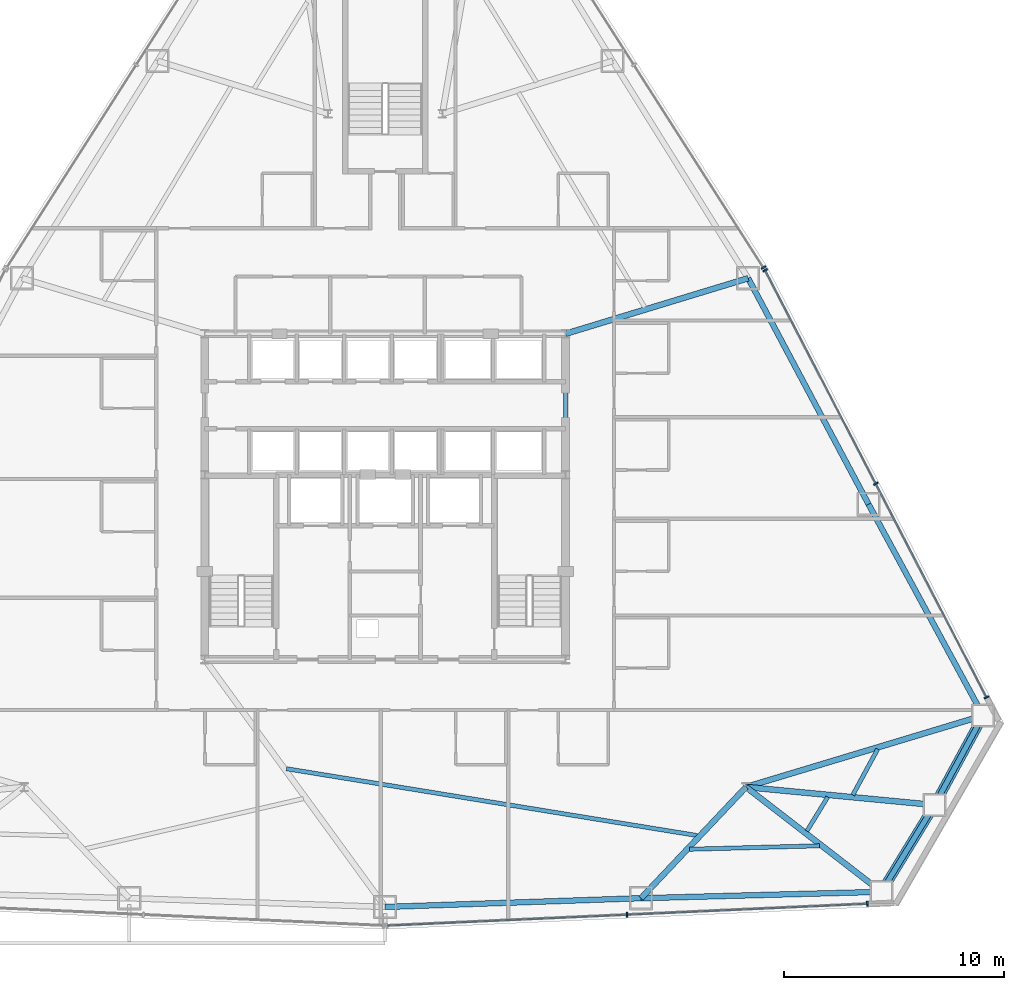
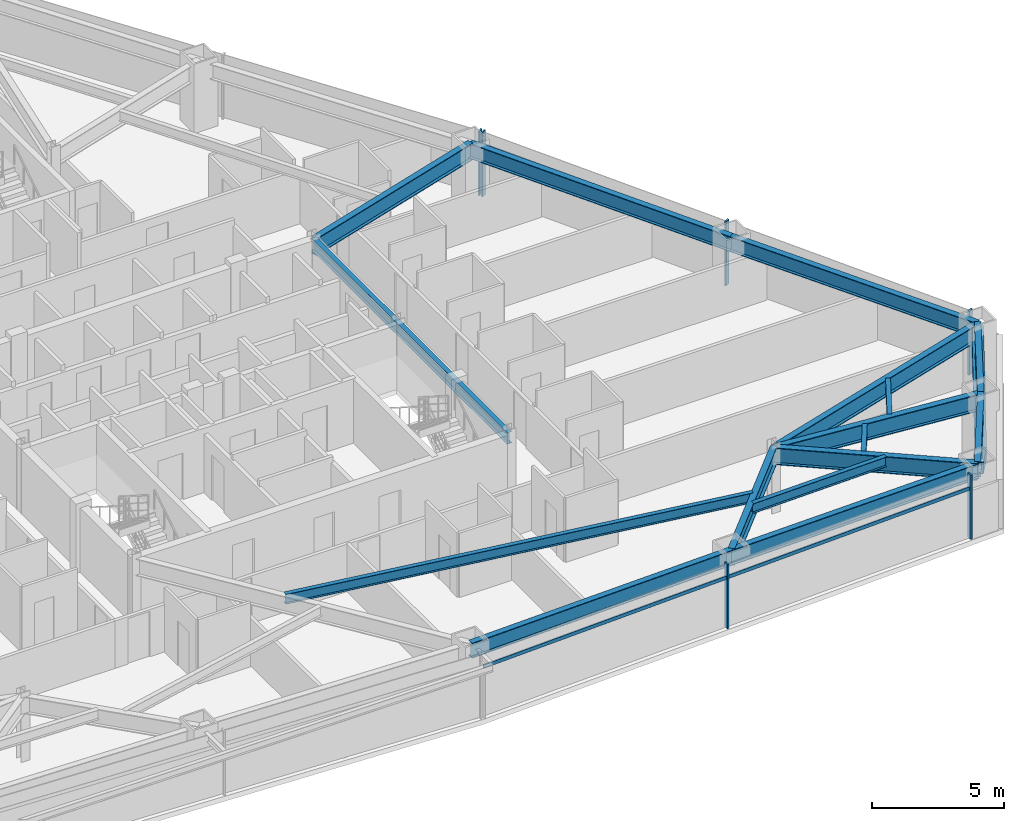
# One storey, part 6 of 13: 16 beams, 10 members, 3 elements without a shape of their own.
"""IFC4 building model written with IfcOpenShell, lengths in metres."""

from ifc_helpers import new_model, si_unit, direction, frame, origin, origin_2d, place, context, subcontext, project, spatial, rectangle, hollow_rectangle, i_section, extrude, source, transform, mapped, material, layer, layer_set, material_profile, profile_set, type_object, type_shapes, element, aggregate, save


model = new_model("IFC4")

# Units and contexts
model_context = context("Model", 3, precision=1e-05, world=origin(), true_north=direction((0.0, 1.0)))
body_context = subcontext(model_context, "Body", "Model", "MODEL_VIEW")
ifc_project = project(units=[si_unit("LENGTHUNIT", "METRE"), si_unit("AREAUNIT", "SQUARE_METRE"), si_unit("VOLUMEUNIT", "CUBIC_METRE"), si_unit("PLANEANGLEUNIT", "RADIAN"), si_unit("MASSUNIT", "GRAM", prefix="KILO")], contexts=[model_context])

# Site, building, storey
site_placement = place(None, origin())
site = spatial("IfcSite", under=ifc_project, at=site_placement, CompositionType="ELEMENT")
building_placement = place(site_placement, origin())
building = spatial("IfcBuilding", under=site, at=building_placement, Name="Varakhsha Concourse Tower", CompositionType="ELEMENT")
storey_placement = place(building_placement, frame((0.0, 0.0, 89.39990234375)))
storey = spatial("IfcBuildingStorey", under=building, at=storey_placement, Name="L25", CompositionType="ELEMENT", Elevation=89.39990234375)

# Beams
ifc_material_1 = material(Name="Structural Steel ASTM A992 Grade 50", Category="steel")
ifc_material_profile_1 = material_profile(ifc_material_1, i_section(OverallWidth=0.26611328125, OverallDepth=0.779052734375, WebThickness=0.01708984375, FlangeThickness=0.030029296875, at=origin_2d()), Name="W30X148")
ifc_profile_set_1 = profile_set([ifc_material_profile_1], Name="Structural Steel ASTM A992 Grade 50")
beam_type_1 = type_object("IfcBeamType", Name="BM-BASE-W30X148", PredefinedType="USERDEFINED", material=ifc_profile_set_1)
beam_1_placement = place(storey_placement, frame((56.39990234375, 10.60009765625, 2.58056640625), z_axis=(-0.686667898497, -0.726971249207, 0.0), x_axis=(0.726971249207, -0.686667898497, 0.0)))
element("IfcBeam", 1, at=beam_1_placement, inside=storey, type_object=beam_type_1, Name="L25 Radial Floor Girder 12", ObjectType="GIRDER", PredefinedType="USERDEFINED", context=body_context, shape_type="SweptSolid", body=[
    extrude(i_section(OverallWidth=0.26611328125, OverallDepth=0.779052734375, WebThickness=0.01708984375, FlangeThickness=0.030029296875, at=origin_2d()), origin(), (0.0, 0.0, 1.0), 6.947998046875),
])
beam_2_placement = place(storey_placement, frame((56.39990234375, 10.60009765625, 2.58056640625), z_axis=(0.790863829476, -0.611992159449, 0.0), x_axis=(0.611992159449, 0.790863829476, 0.0)))
element("IfcBeam", 2, at=beam_2_placement, inside=storey, type_object=beam_type_1, Name="L25 Radial Floor Girder 13", ObjectType="GIRDER", PredefinedType="USERDEFINED", context=body_context, shape_type="SweptSolid", body=[
    extrude(i_section(OverallWidth=0.26611328125, OverallDepth=0.779052734375, WebThickness=0.01708984375, FlangeThickness=0.030029296875, at=origin_2d()), origin(), (0.0, 0.0, 1.0), 7.77978515625),
])
beam_3_placement = place(storey_placement, frame((56.39990234375, 10.60009765625, 2.58056640625), z_axis=(0.995499423712, -0.094767596724, 0.0), x_axis=(0.094767596724, 0.995499423712, 0.0)))
element("IfcBeam", 3, at=beam_3_placement, inside=storey, type_object=beam_type_1, Name="L25 Radial Floor Girder 14", ObjectType="GIRDER", PredefinedType="USERDEFINED", context=body_context, shape_type="SweptSolid", body=[
    extrude(i_section(OverallWidth=0.26611328125, OverallDepth=0.779052734375, WebThickness=0.01708984375, FlangeThickness=0.030029296875, at=origin_2d()), origin(), (0.0, 0.0, 1.0), 8.607177734375),
])
beam_4_placement = place(storey_placement, frame((56.39990234375, 10.60009765625, 2.58056640625), z_axis=(0.957434410413, 0.288650913313, 0.0), x_axis=(-0.288650913313, 0.957434410413, 0.0)))
element("IfcBeam", 4, at=beam_4_placement, inside=storey, type_object=beam_type_1, Name="L25 Radial Floor Girder 15", ObjectType="GIRDER", PredefinedType="USERDEFINED", context=body_context, shape_type="SweptSolid", body=[
    extrude(i_section(OverallWidth=0.26611328125, OverallDepth=0.779052734375, WebThickness=0.01708984375, FlangeThickness=0.030029296875, at=origin_2d()), origin(), (0.0, 0.0, 1.0), 11.2568359375),
])
beam_5_placement = place(storey_placement, frame((48.199951171875, 31.199951171875, 2.58056640625), z_axis=(0.956697744709, 0.291083193036, 0.0), x_axis=(-0.291083193036, 0.956697744709, 0.0)))
element("IfcBeam", 5, at=beam_5_placement, inside=storey, type_object=beam_type_1, Name="L25 Radial Floor Girder 17", ObjectType="GIRDER", PredefinedType="USERDEFINED", context=body_context, shape_type="SweptSolid", body=[
    extrude(i_section(OverallWidth=0.26611328125, OverallDepth=0.779052734375, WebThickness=0.01708984375, FlangeThickness=0.030029296875, at=origin_2d()), origin(), (0.0, 0.0, 1.0), 8.671630859375),
])
ifc_material_profile_2 = material_profile(ifc_material_1, i_section(OverallWidth=0.19091796875, OverallDepth=0.45703125, WebThickness=0.009033203125, FlangeThickness=0.013916015625, at=origin_2d()), Name="W18X50")
ifc_profile_set_2 = profile_set([ifc_material_profile_2], Name="Structural Steel ASTM A992 Grade 50")
beam_type_2 = type_object("IfcBeamType", Name="BM-JST-W18X50", PredefinedType="JOIST", material=ifc_profile_set_2)
beam_6_placement = place(storey_placement, frame((35.5166015625, 11.43310546875, 2.74169921875), z_axis=(0.987027059065, -0.160553993018, 0.0), x_axis=(0.160553993018, 0.987027059065, 0.0)))
element("IfcBeam", 6, at=beam_6_placement, inside=storey, type_object=beam_type_2, Name="BM-TJST-L25-11", PredefinedType="JOIST", context=body_context, shape_type="SweptSolid", body=[
    extrude(i_section(OverallWidth=0.19091796875, OverallDepth=0.45703125, WebThickness=0.009033203125, FlangeThickness=0.013916015625, at=origin_2d()), origin(), (0.0, 0.0, 1.0), 18.9208984375),
])
beam_7_placement = place(storey_placement, frame((53.838134765625, 7.7744140625, 2.74169921875), z_axis=(0.999648110151, 0.02652651261, 0.0), x_axis=(-0.02652651261, 0.999648110151, 0.0)))
element("IfcBeam", 7, at=beam_7_placement, inside=storey, type_object=beam_type_2, Name="BM-TJST-L25-12", PredefinedType="JOIST", context=body_context, shape_type="SweptSolid", body=[
    extrude(i_section(OverallWidth=0.19091796875, OverallDepth=0.45703125, WebThickness=0.009033203125, FlangeThickness=0.013916015625, at=origin_2d()), origin(), (0.0, 0.0, 1.0), 5.899658203125),
])
beam_8_placement = place(storey_placement, frame((59.164794921875, 8.598876953125, 2.74169921875), z_axis=(0.522010135783, 0.852939281626, 0.0), x_axis=(-0.852939281626, 0.522010135783, 0.0)))
element("IfcBeam", 8, at=beam_8_placement, inside=storey, type_object=beam_type_2, Name="BM-TJST-L25-13", PredefinedType="JOIST", context=body_context, shape_type="SweptSolid", body=[
    extrude(i_section(OverallWidth=0.19091796875, OverallDepth=0.45703125, WebThickness=0.009033203125, FlangeThickness=0.013916015625, at=origin_2d()), origin(), (0.0, 0.0, 1.0), 1.815673828125),
])
beam_9_placement = place(storey_placement, frame((61.250732421875, 10.239990234375, 2.74169921875), z_axis=(0.477516776867, 0.87862263106, 0.0), x_axis=(-0.87862263106, 0.477516776867, 0.0)))
element("IfcBeam", 9, at=beam_9_placement, inside=storey, type_object=beam_type_2, Name="BM-TJST-L25-14", PredefinedType="JOIST", context=body_context, shape_type="SweptSolid", body=[
    extrude(i_section(OverallWidth=0.19091796875, OverallDepth=0.45703125, WebThickness=0.009033203125, FlangeThickness=0.013916015625, at=origin_2d()), origin(), (0.0, 0.0, 1.0), 2.370849609375),
])
ifc_material_profile_3 = material_profile(ifc_material_1, i_section(OverallWidth=0.2109375, OverallDepth=0.5390625, WebThickness=0.011962890625, FlangeThickness=0.01904296875, at=origin_2d()), Name="W21X73")
ifc_profile_set_3 = profile_set([ifc_material_profile_3], Name="Structural Steel ASTM A992 Grade 50")
beam_type_3 = type_object("IfcBeamType", Name="BM-RAD-W21X73", PredefinedType="BEAM", material=ifc_profile_set_3)
beam_10_placement = place(storey_placement, frame((48.199951171875, 16.39990234375, 2.70068359375), z_axis=(0.0, 1.0, 0.0), x_axis=(-1.0, 0.0, 0.0)))
element("IfcBeam", 10, at=beam_10_placement, inside=storey, type_object=beam_type_3, Name="BM-TCORE-L25-CE", PredefinedType="BEAM", context=body_context, shape_type="SweptSolid", body=[
    extrude(i_section(OverallWidth=0.2109375, OverallDepth=0.5390625, WebThickness=0.011962890625, FlangeThickness=0.01904296875, at=origin_2d()), origin(), (0.0, 0.0, 1.0), 14.800048828125),
])
ifc_material_profile_4 = material_profile(ifc_material_1, i_section(OverallWidth=0.25390625, OverallDepth=0.701904296875, WebThickness=0.014892578125, FlangeThickness=0.028076171875, at=origin_2d()), Name="W27X129")
ifc_profile_set_4 = profile_set([ifc_material_profile_4], Name="Structural Steel ASTM A992 Grade 50")
beam_type_4 = type_object("IfcBeamType", Name="BM-SPAN-W27X129", PredefinedType="SPANDREL", material=ifc_profile_set_4)
beam_11_placement = place(storey_placement, frame((40.0, 5.15185546875, 2.619140625), z_axis=(0.999417135447, 0.034137799785, 0.0), x_axis=(-0.034137799785, 0.999417135447, 0.0)))
element("IfcBeam", 11, at=beam_11_placement, inside=storey, type_object=beam_type_4, Name="BM-SPAN-L25-11", PredefinedType="SPANDREL", context=body_context, shape_type="SweptSolid", body=[
    extrude(i_section(OverallWidth=0.25390625, OverallDepth=0.701904296875, WebThickness=0.014892578125, FlangeThickness=0.028076171875, at=origin_2d()), origin(), (0.0, 0.0, 1.0), 11.6357421875),
])
beam_12_placement = place(storey_placement, frame((51.62890625, 5.549072265625, 2.619140625), z_axis=(0.999648299755, 0.026519366436, 0.0), x_axis=(-0.026519366436, 0.999648299755, 0.0)))
element("IfcBeam", 12, at=beam_12_placement, inside=storey, type_object=beam_type_4, Name="BM-SPAN-L25-12", PredefinedType="SPANDREL", context=body_context, shape_type="SweptSolid", body=[
    extrude(i_section(OverallWidth=0.25390625, OverallDepth=0.701904296875, WebThickness=0.014892578125, FlangeThickness=0.028076171875, at=origin_2d()), origin(), (0.0, 0.0, 1.0), 10.927734375),
])
beam_13_placement = place(storey_placement, frame((62.552734375, 5.8388671875, 2.619140625), z_axis=(0.522135058867, 0.852862814468, 0.0), x_axis=(-0.852862814468, 0.522135058867, 0.0)))
element("IfcBeam", 13, at=beam_13_placement, inside=storey, type_object=beam_type_4, Name="BM-SPAN-L25-13", PredefinedType="SPANDREL", context=body_context, shape_type="SweptSolid", body=[
    extrude(i_section(OverallWidth=0.25390625, OverallDepth=0.701904296875, WebThickness=0.014892578125, FlangeThickness=0.028076171875, at=origin_2d()), origin(), (0.0, 0.0, 1.0), 4.626220703125),
])
beam_14_placement = place(storey_placement, frame((64.96826171875, 9.784423828125, 2.619140625), z_axis=(0.47751686281, 0.878622584351, 0.0), x_axis=(-0.878622584351, 0.47751686281, 0.0)))
element("IfcBeam", 14, at=beam_14_placement, inside=storey, type_object=beam_type_4, Name="BM-SPAN-L25-14", PredefinedType="SPANDREL", context=body_context, shape_type="SweptSolid", body=[
    extrude(i_section(OverallWidth=0.25390625, OverallDepth=0.701904296875, WebThickness=0.014892578125, FlangeThickness=0.028076171875, at=origin_2d()), origin(), (0.0, 0.0, 1.0), 4.62646484375),
])
beam_15_placement = place(storey_placement, frame((67.177490234375, 13.849365234375, 2.619140625), z_axis=(-0.476839407103, 0.878990432163, 0.0), x_axis=(-0.878990432163, -0.476839407103, 0.0)))
element("IfcBeam", 15, at=beam_15_placement, inside=storey, type_object=beam_type_4, Name="BM-SPAN-L25-15", PredefinedType="SPANDREL", context=body_context, shape_type="SweptSolid", body=[
    extrude(i_section(OverallWidth=0.25390625, OverallDepth=0.701904296875, WebThickness=0.014892578125, FlangeThickness=0.028076171875, at=origin_2d()), origin(), (0.0, 0.0, 1.0), 10.927490234375),
])
beam_16_placement = place(storey_placement, frame((61.966796875, 23.45458984375, 2.619140625), z_axis=(-0.470161283072, 0.882580516384, 0.0), x_axis=(-0.882580516384, -0.470161283072, 0.0)))
element("IfcBeam", 16, at=beam_16_placement, inside=storey, type_object=beam_type_4, Name="BM-SPAN-L25-16", PredefinedType="SPANDREL", context=body_context, shape_type="SweptSolid", body=[
    extrude(i_section(OverallWidth=0.25390625, OverallDepth=0.701904296875, WebThickness=0.014892578125, FlangeThickness=0.028076171875, at=origin_2d()), origin(), (0.0, 0.0, 1.0), 11.6357421875),
])

# Members
ifc_material_2 = material(Name="Structural Steel ASTM A500 Grade C", Category="steel")
ifc_material_profile_5 = material_profile(ifc_material_2, hollow_rectangle(XDim=0.449951171875, YDim=0.449951171875, WallThickness=0.01904296875, at=origin_2d()), Name="HSS 450x450x19")
ifc_profile_set_5 = profile_set([ifc_material_profile_5], Name="Structural Steel ASTM A500 Grade C")
member_type_1 = type_object("IfcMemberType", Name="MB-TUBE-HSS450", PredefinedType="BRACE", material=ifc_profile_set_5)
shared_shape_1 = source(origin(), body_context, "Body", "SweptSolid", [
    extrude(hollow_rectangle(XDim=0.449951171875, YDim=0.449951171875, WallThickness=0.01904296875, at=origin_2d()), origin(), (0.0, 0.0, 1.0), 5.282470703125),
])
member_1_placement = place(storey_placement, frame((64.96826171875, 9.784423828125, 0.1201171875), z_axis=(-0.457268644843, -0.746909093319, 0.482734080795), x_axis=(0.852862814468, -0.522135058867, 0.0)))
element("IfcMember", 17, at=member_1_placement, inside=storey, type_object=member_type_1, Name="L25 Wind-Corner Tube Brace B05", PredefinedType="BRACE", context=body_context, shape_type="MappedRepresentation", body=[
    mapped(shared_shape_1, transform((0.0, 0.0, 0.0), scale=1.0)),
])
shared_shape_2 = source(origin(), body_context, "Body", "SweptSolid", [
    extrude(hollow_rectangle(XDim=0.449951171875, YDim=0.449951171875, WallThickness=0.01904296875, at=origin_2d()), origin(), (0.0, 0.0, 1.0), 5.28271484375),
])
type_shapes(member_type_1, [shared_shape_1, shared_shape_2])
member_2_placement = place(storey_placement, frame((64.96826171875, 9.784423828125, 0.1201171875), z_axis=(0.418198623406, 0.769478072684, 0.482714622774), x_axis=(-0.878622584351, 0.47751686281, 0.0)))
element("IfcMember", 18, at=member_2_placement, inside=storey, type_object=member_type_1, Name="L25 Wind-Corner Tube Brace B06", PredefinedType="BRACE", context=body_context, shape_type="MappedRepresentation", body=[
    mapped(shared_shape_2, transform((0.0, 0.0, 0.0), scale=1.0)),
])

# Curtain wall, members
ifc_material_3 = material(Name="Anodised Bronze Architectural Aluminium AA 6063-T6", Category="aluminium")
ifc_layer = layer(ifc_material_3, 0.199951171875, Name="CW-SYS-03")
ifc_layer_set = layer_set([ifc_layer], Name="Anodised Bronze Architectural Aluminium AA 6063-T6")
curtain_wall_type = type_object("IfcCurtainWallType", Name="CW-SYS-03", PredefinedType="NOTDEFINED", material=ifc_layer_set)
curtain_wall_1_placement = place(storey_placement, origin())
curtain_wall_1 = element("IfcCurtainWall", 19, at=curtain_wall_1_placement, inside=storey, type_object=curtain_wall_type, Name="L25 Crystal Curtain Wall F6", PredefinedType="NOTDEFINED")
ifc_material_profile_6 = material_profile(ifc_material_3, rectangle(XDim=0.074951171875, YDim=0.219970703125, at=origin_2d()), Name="CWM-220X75")
ifc_profile_set_6 = profile_set([ifc_material_profile_6], Name="Anodised Bronze Architectural Aluminium AA 6063-T6")
member_type_2 = type_object("IfcMemberType", Name="CWM-220X75", PredefinedType="MULLION", material=ifc_profile_set_6)
shared_shape_3 = source(origin(), body_context, "Body", "SweptSolid", [
    extrude(rectangle(XDim=0.074951171875, YDim=0.219970703125, at=origin_2d()), origin(), (0.0, 0.0, 1.0), 2.97021484375),
])
type_shapes(member_type_2, [shared_shape_3])
member_3_placement = place(storey_placement, frame((61.911865234375, 5.29541015625, 0.0), z_axis=(0.0, 0.0, 1.0), x_axis=(-0.998969777905, -0.045380423448, 0.0)))
member_3 = element("IfcMember", 20, at=member_3_placement, type_object=member_type_2, Name="CW-L25-F6 Mullion 00", PredefinedType="MULLION", context=body_context, shape_type="MappedRepresentation", body=[
    mapped(shared_shape_3, transform((0.0, 0.0, 0.0), scale=1.0)),
])
member_4_placement = place(storey_placement, frame((50.9921875, 4.79931640625, 0.0), z_axis=(0.0, 0.0, 1.0), x_axis=(-0.998969777905, -0.045380423448, 0.0)))
member_4 = element("IfcMember", 21, at=member_4_placement, type_object=member_type_2, Name="CW-L25-F6 Mullion 01", PredefinedType="MULLION", context=body_context, shape_type="MappedRepresentation", body=[
    mapped(shared_shape_3, transform((0.0, 0.0, 0.0), scale=1.0)),
])

curtain_wall_2_placement = place(storey_placement, origin())
curtain_wall_2 = element("IfcCurtainWall", 22, at=curtain_wall_2_placement, inside=storey, type_object=curtain_wall_type, Name="L25 Crystal Curtain Wall F8", PredefinedType="NOTDEFINED")
member_5_placement = place(storey_placement, frame((57.267333984375, 34.08544921875, 0.0), z_axis=(0.0, 0.0, 1.0), x_axis=(0.460185838956, -0.887822613828, 0.0)))
member_5 = element("IfcMember", 23, at=member_5_placement, type_object=member_type_2, Name="CW-L25-F8 Mullion 00", PredefinedType="MULLION", context=body_context, shape_type="MappedRepresentation", body=[
    mapped(shared_shape_3, transform((0.0, 0.0, 0.0), scale=1.0)),
])
member_6_placement = place(storey_placement, frame((62.297607421875, 24.380859375, 0.0), z_axis=(0.0, 0.0, 1.0), x_axis=(0.460185838956, -0.887822613828, 0.0)))
member_6 = element("IfcMember", 24, at=member_6_placement, type_object=member_type_2, Name="CW-L25-F8 Mullion 01", PredefinedType="MULLION", context=body_context, shape_type="MappedRepresentation", body=[
    mapped(shared_shape_3, transform((0.0, 0.0, 0.0), scale=1.0)),
])
member_7_placement = place(storey_placement, frame((67.327880859375, 14.67626953125, 0.0), z_axis=(0.0, 0.0, 1.0), x_axis=(0.460185838956, -0.887822613828, 0.0)))
member_7 = element("IfcMember", 25, at=member_7_placement, type_object=member_type_2, Name="CW-L25-F8 Mullion 02", PredefinedType="MULLION", context=body_context, shape_type="MappedRepresentation", body=[
    mapped(shared_shape_3, transform((0.0, 0.0, 0.0), scale=1.0)),
])

# Curtain wall, member
curtain_wall_3_placement = place(storey_placement, origin())
curtain_wall_3 = element("IfcCurtainWall", 26, at=curtain_wall_3_placement, inside=storey, type_object=curtain_wall_type, Name="L25 Crystal Curtain Wall F9", PredefinedType="NOTDEFINED")
member_8_placement = place(storey_placement, frame((57.194580078125, 34.211181640625, 0.0), z_axis=(0.0, 0.0, 1.0), x_axis=(0.538786958833, -0.842442053195, 0.0)))
member_8 = element("IfcMember", 27, at=member_8_placement, type_object=member_type_2, Name="CW-L25-F9 Mullion 02", PredefinedType="MULLION", context=body_context, shape_type="MappedRepresentation", body=[
    mapped(shared_shape_3, transform((0.0, 0.0, 0.0), scale=1.0)),
])
aggregate(curtain_wall_3, [member_8])

# Member
ifc_material_profile_7 = material_profile(ifc_material_3, rectangle(XDim=0.06494140625, YDim=0.159912109375, at=origin_2d()), Name="CWT-160X65")
ifc_profile_set_7 = profile_set([ifc_material_profile_7], Name="Anodised Bronze Architectural Aluminium AA 6063-T6")
member_type_3 = type_object("IfcMemberType", Name="CWT-160X65", PredefinedType="USERDEFINED", material=ifc_profile_set_7)
shared_shape_4 = source(origin(), body_context, "Body", "SweptSolid", [
    extrude(rectangle(XDim=0.06494140625, YDim=0.159912109375, at=origin_2d()), origin(), (0.0, 0.0, 1.0), 21.861572265625),
])
type_shapes(member_type_3, [shared_shape_4])
member_9_placement = place(storey_placement, frame((61.911865234375, 5.29541015625, 2.320068359375), z_axis=(-0.998969576113, -0.045384865318, 0.0), x_axis=(0.045384865318, -0.998969576113, 0.0)))
member_9 = element("IfcMember", 28, at=member_9_placement, type_object=member_type_3, Name="CW-L25-F6 Transom 01", ObjectType="TRANSOM", PredefinedType="USERDEFINED", context=body_context, shape_type="MappedRepresentation", body=[
    mapped(shared_shape_4, transform((0.0, 0.0, 0.0), scale=1.0)),
])

aggregate(curtain_wall_1, [member_3, member_4, member_9])

member_10_placement = place(storey_placement, frame((57.267333984375, 34.08544921875, 2.320068359375), z_axis=(0.460191986848, -0.887819427159, 0.0), x_axis=(0.887819427159, 0.460191986848, 0.0)))
member_10 = element("IfcMember", 29, at=member_10_placement, type_object=member_type_3, Name="CW-L25-F8 Transom 01", ObjectType="TRANSOM", PredefinedType="USERDEFINED", context=body_context, shape_type="MappedRepresentation", body=[
    mapped(shared_shape_4, transform((0.0, 0.0, 0.0), scale=1.0)),
])

aggregate(curtain_wall_2, [member_5, member_6, member_7, member_10])

save(model, "model.ifc")
